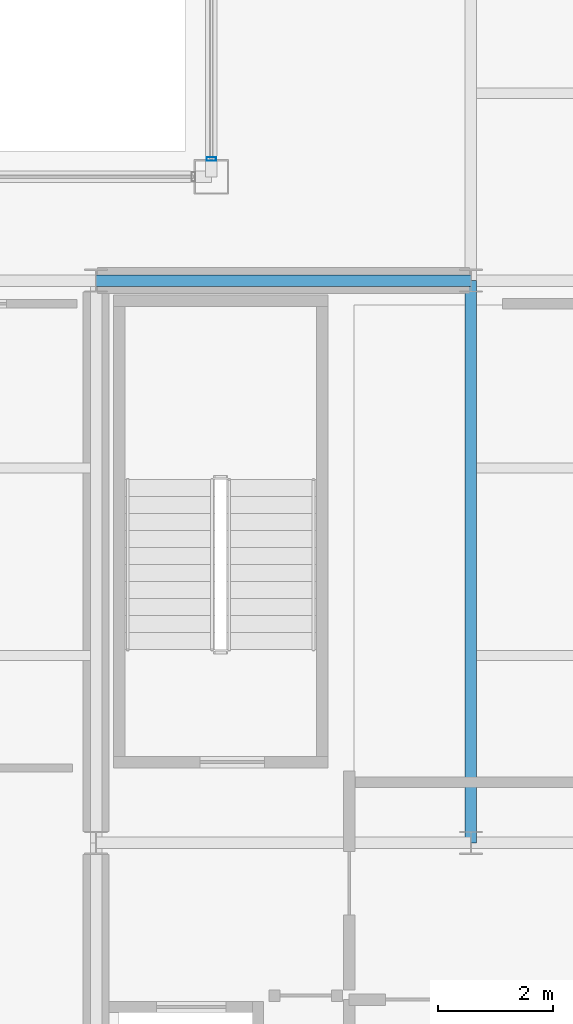
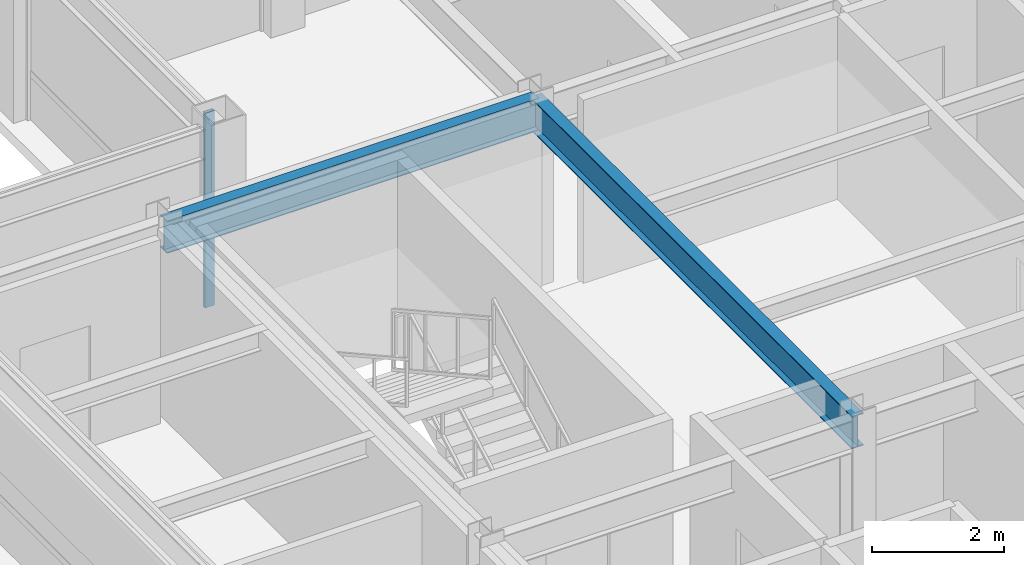
# One storey, part 13 of 28: 2 beams, 1 member, 1 element without a shape of its own.
"""IFC4 building model written with IfcOpenShell, lengths in metres."""

from ifc_helpers import new_model, si_unit, direction, frame, origin, origin_2d, place, context, subcontext, project, spatial, hollow_rectangle, i_section, extrude, material, layer, layer_set, material_profile, profile_set, type_object, element, aggregate, save


model = new_model("IFC4")

# Units and contexts
model_context = context("Model", 3, precision=1e-05, world=origin(), true_north=direction((0.0, 1.0)))
body_context = subcontext(model_context, "Body", "Model", "MODEL_VIEW")
ifc_project = project(units=[si_unit("LENGTHUNIT", "METRE"), si_unit("AREAUNIT", "SQUARE_METRE"), si_unit("VOLUMEUNIT", "CUBIC_METRE"), si_unit("PLANEANGLEUNIT", "RADIAN"), si_unit("MASSUNIT", "GRAM", prefix="KILO")], contexts=[model_context])

# Site, building, storey
site_placement = place(None, origin())
site = spatial("IfcSite", under=ifc_project, at=site_placement, CompositionType="ELEMENT")
building_placement = place(site_placement, origin())
building = spatial("IfcBuilding", under=site, at=building_placement, Name="Brelmoor Portico Tower", CompositionType="ELEMENT")
storey_placement = place(building_placement, frame((0.0, 0.0, 265.199951171875)))
storey = spatial("IfcBuildingStorey", under=building, at=storey_placement, Name="L70", CompositionType="ELEMENT", Elevation=265.199951171875)

# Beams
ifc_material_1 = material(Name="Steel Q355B", Category="steel")
ifc_material_profile_1 = material_profile(ifc_material_1, i_section(OverallWidth=0.199951171875, OverallDepth=0.60009765625, WebThickness=0.010986328125, FlangeThickness=0.01708984375, at=origin_2d()), Name="HN 600x200x11x17")
ifc_profile_set_1 = profile_set([ifc_material_profile_1], Name="Steel Q355B")
beam_type = type_object("IfcBeamType", Name="BM-PG-600", PredefinedType="BEAM", material=ifc_profile_set_1)
beam_1_placement = place(storey_placement, frame((-8.050048828125, 0.0, 3.10009765625), z_axis=(0.0, 1.0, 0.0), x_axis=(-1.0, 0.0, 0.0)))
element("IfcBeam", 1, at=beam_1_placement, inside=storey, type_object=beam_type, Name="L70 Primary Floor Girder PG-04", PredefinedType="BEAM", context=body_context, shape_type="SweptSolid", body=[
    extrude(i_section(OverallWidth=0.199951171875, OverallDepth=0.60009765625, WebThickness=0.010986328125, FlangeThickness=0.01708984375, at=origin_2d()), origin(), (0.0, 0.0, 1.0), 9.75),
])
beam_2_placement = place(storey_placement, frame((-14.550048828125, 9.75, 3.10009765625), z_axis=(1.0, 0.0, 0.0), x_axis=(0.0, 1.0, 0.0)))
element("IfcBeam", 2, at=beam_2_placement, inside=storey, type_object=beam_type, Name="L70 Primary Floor Girder PG-20", PredefinedType="BEAM", context=body_context, shape_type="SweptSolid", body=[
    extrude(i_section(OverallWidth=0.199951171875, OverallDepth=0.60009765625, WebThickness=0.010986328125, FlangeThickness=0.01708984375, at=origin_2d()), origin(), (0.0, 0.0, 1.0), 6.5),
])

# Curtain wall, member
ifc_material_2 = material(Name="Anodised Aluminium Alloy 6063-T6", Category="aluminium")
ifc_layer = layer(ifc_material_2, 0.179931640625)
ifc_layer_set = layer_set([ifc_layer], Name="Anodised Aluminium Alloy 6063-T6")
curtain_wall_type = type_object("IfcCurtainWallType", Name="CW-NOTCH-CHAMFER", PredefinedType="NOTDEFINED", material=ifc_layer_set)
curtain_wall_placement = place(storey_placement, origin())
curtain_wall = element("IfcCurtainWall", 3, at=curtain_wall_placement, inside=storey, type_object=curtain_wall_type, Name="L70 Curtain Wall CWN-L70-NWV", PredefinedType="NOTDEFINED")
ifc_material_profile_2 = material_profile(ifc_material_2, hollow_rectangle(XDim=0.06494140625, YDim=0.1650390625, WallThickness=0.00390625, at=origin_2d()), Name="ALU MULLION 65x165")
ifc_profile_set_2 = profile_set([ifc_material_profile_2], Name="Anodised Aluminium Alloy 6063-T6")
member_type = type_object("IfcMemberType", Name="MB-CW-MULL-165", PredefinedType="MULLION", material=ifc_profile_set_2)
member_placement = place(storey_placement, frame((-12.550048828125, 11.860107421875, -0.199951171875), z_axis=(0.0, 0.0, 1.0), x_axis=(0.0, 1.0, 0.0)))
member = element("IfcMember", 4, at=member_placement, type_object=member_type, Name="CWN-L70-NWV Mullion 00", PredefinedType="MULLION", context=body_context, shape_type="SweptSolid", body=[
    extrude(hollow_rectangle(XDim=0.06494140625, YDim=0.1650390625, WallThickness=0.00390625, at=origin_2d()), origin(), (0.0, 0.0, 1.0), 3.60009765625),
])
aggregate(curtain_wall, [member])

save(model, "model.ifc")
